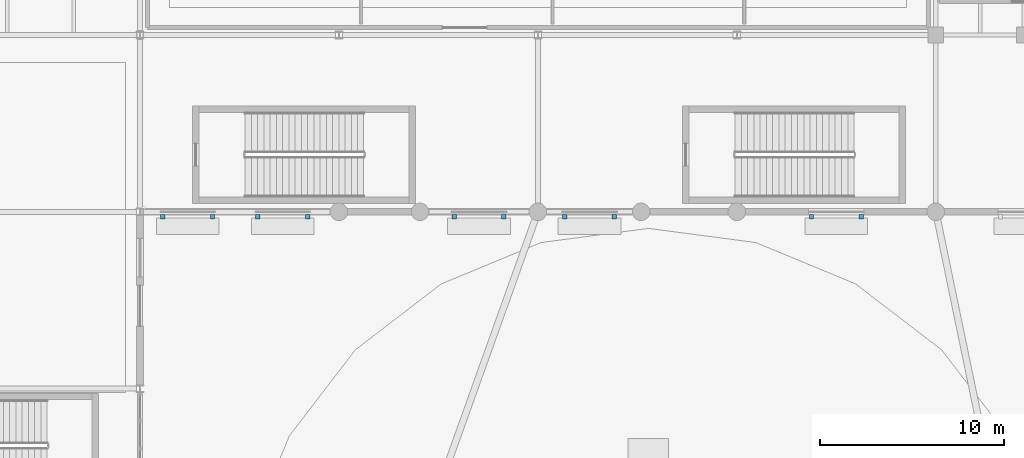
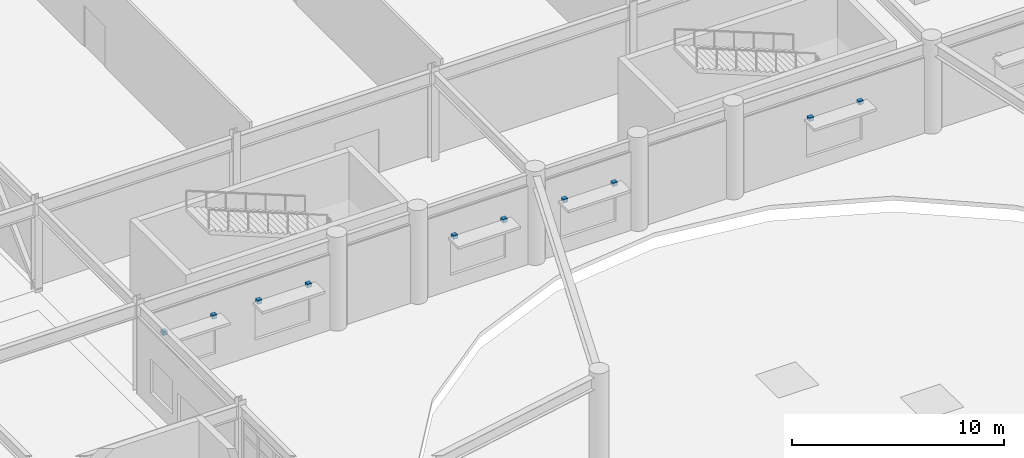
# One storey, part 41 of 54: 10 discrete accessories.
"""IFC4 building model written with IfcOpenShell, lengths in metres."""

from ifc_helpers import new_model, si_unit, direction, frame, origin, origin_2d, place, context, subcontext, project, spatial, rectangle, extrude, material, type_object, element, save


model = new_model("IFC4")

# Units and contexts
model_context = context("Model", 3, precision=1e-05, world=origin(), true_north=direction((0.0, 1.0)))
body_context = subcontext(model_context, "Body", "Model", "MODEL_VIEW")
ifc_project = project(units=[si_unit("LENGTHUNIT", "METRE"), si_unit("AREAUNIT", "SQUARE_METRE"), si_unit("VOLUMEUNIT", "CUBIC_METRE"), si_unit("PLANEANGLEUNIT", "RADIAN"), si_unit("MASSUNIT", "GRAM", prefix="KILO")], contexts=[model_context])

# Site, building, storey
site_placement = place(None, origin())
site = spatial("IfcSite", under=ifc_project, at=site_placement, CompositionType="ELEMENT")
building_placement = place(site_placement, origin())
building = spatial("IfcBuilding", under=site, at=building_placement, Name="Veldera Park Congress Hotel", CompositionType="ELEMENT")
storey_placement = place(building_placement, origin())
storey = spatial("IfcBuildingStorey", under=building, at=storey_placement, Name="L00", CompositionType="ELEMENT", Elevation=0.0)

# Discrete accessories
ifc_material = material(Name="Steel ASTM A992 Gr.50", Category="steel")
discrete_accessory_type = type_object("IfcDiscreteAccessoryType", Name="ACC-BRK160", PredefinedType="BRACKET", material=ifc_material)
for number, where, z_axis, x_axis, name in (
    (1, (-0.36279296875, 17.1298828125, 3.02001953125), (0.0, 0.0, 1.0), (1.0, 0.0, 0.0), "Shading Steel Outrigger Bracket 16L"),
    (2, (2.33740234375, 17.1298828125, 3.02001953125), (0.0, 0.0, 1.0), (1.0, 0.0, 0.0), "Shading Steel Outrigger Bracket 16R"),
    (3, (4.797119140625, 17.1298828125, 3.02001953125), (0.0, 0.0, 1.0), (1.0, 0.0, 0.0), "Shading Steel Outrigger Bracket 17L"),
    (4, (7.4970703125, 17.1298828125, 3.02001953125), (0.0, 0.0, 1.0), (1.0, 0.0, 0.0), "Shading Steel Outrigger Bracket 17R"),
    (5, (15.449951171875, 17.1298828125, 3.02001953125), (0.0, 0.0, 1.0), (1.0, 0.0, 0.0), "Shading Steel Outrigger Bracket 18L"),
    (6, (18.14990234375, 17.1298828125, 3.02001953125), (0.0, 0.0, 1.0), (1.0, 0.0, 0.0), "Shading Steel Outrigger Bracket 18R"),
    (7, (21.449951171875, 17.1298828125, 3.02001953125), (0.0, 0.0, 1.0), (1.0, 0.0, 0.0), "Shading Steel Outrigger Bracket 19L"),
    (8, (24.14990234375, 17.1298828125, 3.02001953125), (0.0, 0.0, 1.0), (1.0, 0.0, 0.0), "Shading Steel Outrigger Bracket 19R"),
    (9, (34.85009765625, 17.1298828125, 3.02001953125), (0.0, 0.0, 1.0), (1.0, 0.0, 0.0), "Shading Steel Outrigger Bracket 20L"),
    (10, (37.550048828125, 17.1298828125, 3.02001953125), (0.0, 0.0, 1.0), (1.0, 0.0, 0.0), "Shading Steel Outrigger Bracket 20R"),
):
    element("IfcDiscreteAccessory", number, at=place(storey_placement, frame(where, z_axis=z_axis, x_axis=x_axis)), inside=storey, type_object=discrete_accessory_type, Name=name, PredefinedType="BRACKET", context=body_context, shape_type="SweptSolid", body=[
        extrude(rectangle(XDim=0.239990234375, YDim=0.239990234375, at=origin_2d()), origin(), (0.0, 0.0, 1.0), 0.219970703125),
    ])

save(model, "model.ifc")
